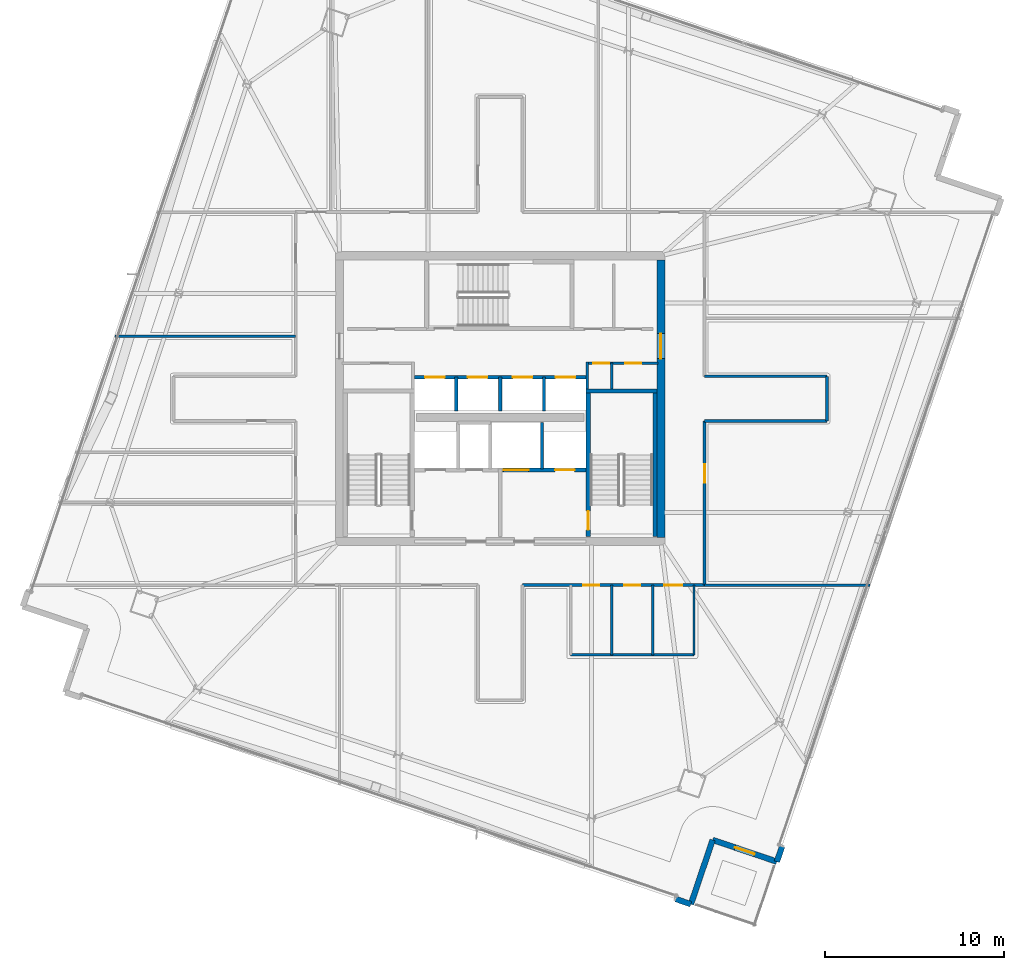
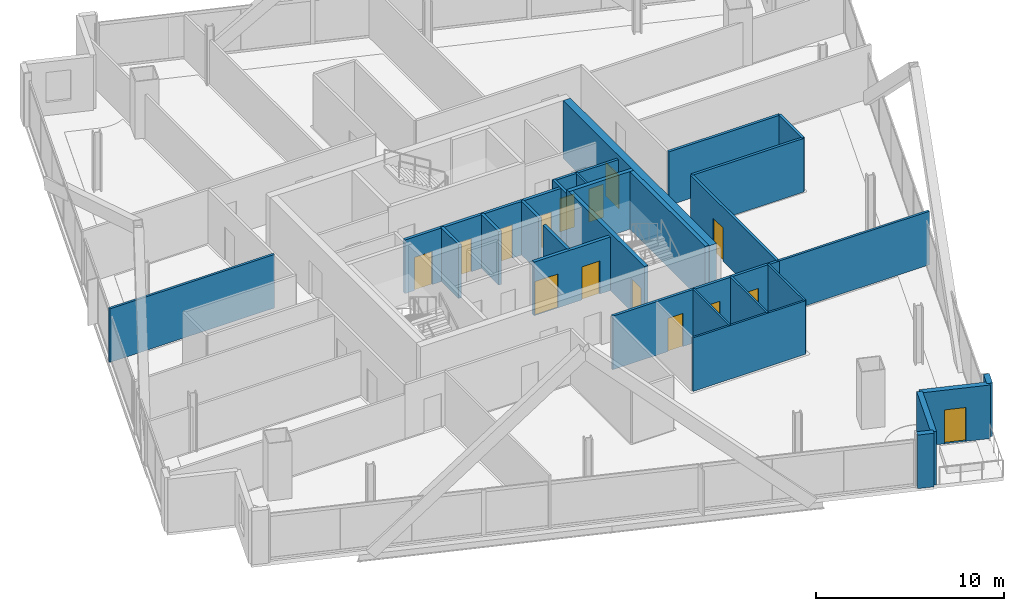
# One storey, part 22 of 29: 28 walls, 15 doors, 15 openings.
"""IFC4 building model written with IfcOpenShell, lengths in metres."""

from ifc_helpers import new_model, si_unit, direction, frame, frame_2d, origin, place, context, subcontext, project, spatial, rectangle, extrude, material, layer, layer_set, type_object, element, fill, save


model = new_model("IFC4")

# Units and contexts
model_context = context("Model", 3, precision=1e-05, world=origin(), true_north=direction((0.0, 1.0)))
body_context = subcontext(model_context, "Body", "Model", "MODEL_VIEW")
ifc_project = project(units=[si_unit("LENGTHUNIT", "METRE"), si_unit("AREAUNIT", "SQUARE_METRE"), si_unit("VOLUMEUNIT", "CUBIC_METRE"), si_unit("PLANEANGLEUNIT", "RADIAN"), si_unit("MASSUNIT", "GRAM", prefix="KILO")], contexts=[model_context])

# Site, building, storey
site_placement = place(None, origin())
site = spatial("IfcSite", under=ifc_project, at=site_placement, CompositionType="ELEMENT")
building_placement = place(site_placement, origin())
building = spatial("IfcBuilding", under=site, at=building_placement, Name="Haldenkirk Collegiate Tower", CompositionType="ELEMENT")
storey_placement = place(building_placement, frame((0.0, 0.0, 267.449951171875)))
storey = spatial("IfcBuildingStorey", under=building, at=storey_placement, Name="L67", CompositionType="ELEMENT", Elevation=267.449951171875)

# Wall, opening, door
ifc_material_1 = material(Name="Concrete f'c 55 MPa", Category="concrete")
ifc_layer_1 = layer(ifc_material_1, 0.449951171875)
ifc_layer_set_1 = layer_set([ifc_layer_1], Name="Concrete f'c 55 MPa")
wall_type_1 = type_object("IfcWallType", Name="WL-CORE-450", PredefinedType="SHEAR", material=ifc_layer_set_1)
wall_1_placement = place(storey_placement, frame((45.0, 18.22509765625, 0.0), z_axis=(0.0, 0.0, 1.0), x_axis=(0.0, 1.0, 0.0)))
wall_1 = element("IfcWall", 1, at=wall_1_placement, inside=storey, type_object=wall_type_1, Name="L67 central core shear wall E", PredefinedType="SHEAR", context=body_context, shape_type="SweptSolid", body=[
    extrude(rectangle(XDim=15.5498046875, YDim=0.449951171875, at=frame_2d((7.77490234375, 0.0))), origin(), (0.0, 0.0, 1.0), 3.75),
])
opening_1_placement = place(wall_1_placement, frame((10.014892578125, 0.0, 0.0)))
opening_1 = element("IfcOpeningElement", 2, at=opening_1_placement, cuts=wall_1, Name="Opening D-03", PredefinedType="OPENING", context=body_context, shape_type="SweptSolid", body=[
    extrude(rectangle(XDim=1.39990234375, YDim=2.199951171875, at=frame_2d((0.699951171875, 1.10009765625))), frame((0.0, 0.23486328125, 0.0), z_axis=(0.0, -1.0, 0.0), x_axis=(1.0, 0.0, 0.0)), (0.0, 0.0, 1.0), 0.469970703125),
])
ifc_material_2 = material(Name="Galvanized fire-rated hollow steel door", Category="steel")
ifc_layer_2 = layer(ifc_material_2, 0.06005859375)
ifc_layer_set_2 = layer_set([ifc_layer_2], Name="Galvanized fire-rated hollow steel door")
door_type_1 = type_object("IfcDoorType", Name="DR-LOBBY-FD90-1400", OperationType="NOTDEFINED", PredefinedType="DOOR", material=ifc_layer_set_2)
door_1_placement = place(opening_1_placement, origin())
door_1 = element("IfcDoor", 3, at=door_1_placement, inside=storey, type_object=door_type_1, Name="L67 east lift lobby portal", OperationType="DOUBLE_DOOR_SINGLE_SWING", OverallHeight=2.199951171875, OverallWidth=1.39990234375, PredefinedType="DOOR", context=body_context, shape_type="SweptSolid", body=[
    extrude(rectangle(XDim=1.39990234375, YDim=2.199951171875, at=frame_2d((0.699951171875, 1.10009765625))), frame((0.0, 0.02490234375, 0.0), z_axis=(0.0, -1.0, 0.0), x_axis=(1.0, 0.0, 0.0)), (0.0, 0.0, 1.0), 0.050048828125),
])
fill(opening_1, door_1)

# Walls
ifc_material_3 = material(Name="Precast concrete f'c 40 MPa", Category="concrete")
ifc_layer_3 = layer(ifc_material_3, 0.320068359375)
ifc_layer_set_3 = layer_set([ifc_layer_3], Name="Precast concrete f'c 40 MPa")
wall_type_2 = type_object("IfcWallType", Name="WL-EXT-TWR-320", PredefinedType="STANDARD", material=ifc_layer_set_3)
for number, where, z_axis, x_axis, name in (
    (4, (51.790283203125, 0.9130859375, 0.0), (0.0, 0.0, 1.0), (-0.320618639267, -0.947208365754, 0.0), "L67 precast corner pier SR"),
    (5, (46.68408203125, -2.320556640625, 0.0), (0.0, 0.0, 1.0), (-0.947208365754, 0.320618639267, 0.0), "L67 precast corner pier WL"),
):
    element("IfcWall", number, at=place(storey_placement, frame(where, z_axis=z_axis, x_axis=x_axis)), inside=storey, type_object=wall_type_2, Name=name, PredefinedType="STANDARD", context=body_context, shape_type="SweptSolid", body=[
        extrude(rectangle(XDim=0.900146484375, YDim=0.320068359375, at=frame_2d((0.4501953125, 0.0))), origin(), (0.0, 0.0, 1.0), 3.47998046875),
    ])
wall_2_placement = place(storey_placement, frame((47.90234375, 1.27880859375, 0.0), z_axis=(0.0, 0.0, 1.0), x_axis=(-0.320599721691, -0.947214768916, 0.0)))
element("IfcWall", 6, at=wall_2_placement, inside=storey, type_object=wall_type_2, Name="L67 bronze precast notch wall 11", PredefinedType="STANDARD", context=body_context, shape_type="SweptSolid", body=[
    extrude(rectangle(XDim=3.800048828125, YDim=0.320068359375, at=frame_2d((1.89990234375, 0.0))), origin(), (0.0, 0.0, 1.0), 3.47998046875),
])

# Wall, opening, door
wall_3_placement = place(storey_placement, frame((51.501708984375, 0.060546875, 0.0), z_axis=(0.0, 0.0, 1.0), x_axis=(-0.947214768916, 0.320599721691, 0.0)))
wall_3 = element("IfcWall", 7, at=wall_3_placement, inside=storey, type_object=wall_type_2, Name="L67 bronze precast notch wall 12", PredefinedType="STANDARD", context=body_context, shape_type="SweptSolid", body=[
    extrude(rectangle(XDim=3.800048828125, YDim=0.320068359375, at=frame_2d((1.89990234375, 0.0))), origin(), (0.0, 0.0, 1.0), 3.47998046875),
])
opening_2_placement = place(wall_3_placement, frame((1.324951171875, 0.0, 0.0)))
opening_2 = element("IfcOpeningElement", 8, at=opening_2_placement, cuts=wall_3, Name="Opening D-ST11", PredefinedType="OPENING", context=body_context, shape_type="SweptSolid", body=[
    extrude(rectangle(XDim=1.14990234375, YDim=2.199951171875, at=frame_2d((0.574951171875, 1.10009765625))), frame((0.0, 0.169921875, 0.0), z_axis=(0.0, -1.0, 0.0), x_axis=(1.0, 0.0, 0.0)), (0.0, 0.0, 1.0), 0.340087890625),
])
ifc_material_4 = material(Name="Anodised architectural bronze aluminium", Category="aluminium")
ifc_layer_4 = layer(ifc_material_4, 0.080078125)
ifc_layer_set_4 = layer_set([ifc_layer_4], Name="Anodised architectural bronze aluminium")
door_type_2 = type_object("IfcDoorType", Name="DR-EXT-STER-1150", OperationType="NOTDEFINED", PredefinedType="DOOR", material=ifc_layer_set_4)
door_2_placement = place(opening_2_placement, origin())
door_2 = element("IfcDoor", 9, at=door_2_placement, inside=storey, type_object=door_type_2, Name="L67 spiralling terrace door", OperationType="SINGLE_SWING_RIGHT", OverallHeight=2.199951171875, OverallWidth=1.14990234375, PredefinedType="DOOR", context=body_context, shape_type="SweptSolid", body=[
    extrude(rectangle(XDim=1.14990234375, YDim=2.199951171875, at=frame_2d((0.574951171875, 1.10009765625))), frame((0.0, 0.02490234375, 0.0), z_axis=(0.0, -1.0, 0.0), x_axis=(1.0, 0.0, 0.0)), (0.0, 0.0, 1.0), 0.050048828125),
])
fill(opening_2, door_2)

# Wall, openings, doors
ifc_material_5 = material(Name="Acoustic fire-rated gypsum partition", Category="concrete")
ifc_layer_5 = layer(ifc_material_5, 0.159912109375)
ifc_layer_set_5 = layer_set([ifc_layer_5], Name="Acoustic fire-rated gypsum partition")
wall_type_3 = type_object("IfcWallType", Name="WL-INT-CORR-160", PredefinedType="PARTITIONING", material=ifc_layer_set_5)
wall_4_placement = place(storey_placement, frame((40.800048828125, 27.97998046875, 0.0), z_axis=(0.0, 0.0, 1.0), x_axis=(1.0, 0.0, 0.0)))
wall_4 = element("IfcWall", 10, at=wall_4_placement, inside=storey, type_object=wall_type_3, Name="L67 interior partition IW-L67-VCSE-N", PredefinedType="PARTITIONING", context=body_context, shape_type="SweptSolid", body=[
    extrude(rectangle(XDim=4.050048828125, YDim=0.159912109375, at=frame_2d((2.02490234375, 0.0))), origin(), (0.0, 0.0, 1.0), 3.47998046875),
])
opening_3_placement = place(wall_4_placement, frame((0.407470703125, 0.0, 0.0)))
opening_3 = element("IfcOpeningElement", 11, at=opening_3_placement, cuts=wall_4, Name="Opening D-11", PredefinedType="OPENING", context=body_context, shape_type="SweptSolid", body=[
    extrude(rectangle(XDim=0.89990234375, YDim=2.14990234375, at=frame_2d((0.449951171875, 1.074951171875))), frame((0.0, 0.08984375, 0.0), z_axis=(0.0, -1.0, 0.0), x_axis=(1.0, 0.0, 0.0)), (0.0, 0.0, 1.0), 0.179931640625),
])
opening_4_placement = place(wall_4_placement, frame((2.199951171875, 0.0, 0.0)))
opening_4 = element("IfcOpeningElement", 12, at=opening_4_placement, cuts=wall_4, Name="Opening D-11", PredefinedType="OPENING", context=body_context, shape_type="SweptSolid", body=[
    extrude(rectangle(XDim=0.89990234375, YDim=2.14990234375, at=frame_2d((0.449951171875, 1.074951171875))), frame((0.0, 0.08984375, 0.0), z_axis=(0.0, -1.0, 0.0), x_axis=(1.0, 0.0, 0.0)), (0.0, 0.0, 1.0), 0.179931640625),
])
ifc_material_6 = material(Name="Solid-core architectural oak fire door", Category="wood")
ifc_layer_6 = layer(ifc_material_6, 0.06005859375)
ifc_layer_set_6 = layer_set([ifc_layer_6], Name="Solid-core architectural oak fire door")
door_type_3 = type_object("IfcDoorType", Name="DR-INT-FD60-900", OperationType="NOTDEFINED", PredefinedType="DOOR", material=ifc_layer_set_6)
door_3_placement = place(opening_3_placement, origin())
door_3 = element("IfcDoor", 13, at=door_3_placement, inside=storey, type_object=door_type_3, Name="L67 core copy room door", OperationType="SINGLE_SWING_LEFT", OverallHeight=2.14990234375, OverallWidth=0.89990234375, PredefinedType="DOOR", context=body_context, shape_type="SweptSolid", body=[
    extrude(rectangle(XDim=0.89990234375, YDim=2.14990234375, at=frame_2d((0.449951171875, 1.074951171875))), frame((0.0, 0.02490234375, 0.0), z_axis=(0.0, -1.0, 0.0), x_axis=(1.0, 0.0, 0.0)), (0.0, 0.0, 1.0), 0.050048828125),
])
fill(opening_3, door_3)
door_4_placement = place(opening_4_placement, origin())
door_4 = element("IfcDoor", 14, at=door_4_placement, inside=storey, type_object=door_type_3, Name="L67 core records store door", OperationType="SINGLE_SWING_RIGHT", OverallHeight=2.14990234375, OverallWidth=0.89990234375, PredefinedType="DOOR", context=body_context, shape_type="SweptSolid", body=[
    extrude(rectangle(XDim=0.89990234375, YDim=2.14990234375, at=frame_2d((0.449951171875, 1.074951171875))), frame((0.0, 0.02490234375, 0.0), z_axis=(0.0, -1.0, 0.0), x_axis=(1.0, 0.0, 0.0)), (0.0, 0.0, 1.0), 0.050048828125),
])
fill(opening_4, door_4)

# Wall
wall_5_placement = place(storey_placement, frame((40.8798828125, 26.5400390625, 0.0), z_axis=(0.0, 0.0, 1.0), x_axis=(0.0, 1.0, 0.0)))
element("IfcWall", 15, at=wall_5_placement, inside=storey, type_object=wall_type_3, Name="L67 interior partition IW-L67-VCSE-W", PredefinedType="PARTITIONING", context=body_context, shape_type="SweptSolid", body=[
    extrude(rectangle(XDim=1.510009765625, YDim=0.159912109375, at=frame_2d((0.7548828125, 0.0))), origin(), (0.0, 0.0, 1.0), 3.47998046875),
])

# Wall, openings, doors
wall_6_placement = place(storey_placement, frame((37.25, 15.550048828125, 0.0), z_axis=(0.0, 0.0, 1.0), x_axis=(1.0, 0.0, 0.0)))
wall_6 = element("IfcWall", 16, at=wall_6_placement, inside=storey, type_object=wall_type_3, Name="L67 interior partition IW-L67-CS2", PredefinedType="PARTITIONING", context=body_context, shape_type="SweptSolid", body=[
    extrude(rectangle(XDim=10.25, YDim=0.159912109375, at=frame_2d((5.125, 0.0))), origin(), (0.0, 0.0, 1.0), 3.47998046875),
])
opening_5_placement = place(wall_6_placement, frame((3.39990234375, 0.0, 0.0)))
opening_5 = element("IfcOpeningElement", 17, at=opening_5_placement, cuts=wall_6, Name="Opening D-13", PredefinedType="OPENING", context=body_context, shape_type="SweptSolid", body=[
    extrude(rectangle(XDim=0.89990234375, YDim=2.14990234375, at=frame_2d((0.449951171875, 1.074951171875))), frame((0.0, 0.08984375, 0.0), z_axis=(0.0, -1.0, 0.0), x_axis=(1.0, 0.0, 0.0)), (0.0, 0.0, 1.0), 0.179931640625),
])
opening_6_placement = place(wall_6_placement, frame((5.699951171875, 0.0, 0.0)))
opening_6 = element("IfcOpeningElement", 18, at=opening_6_placement, cuts=wall_6, Name="Opening D-13", PredefinedType="OPENING", context=body_context, shape_type="SweptSolid", body=[
    extrude(rectangle(XDim=0.89990234375, YDim=2.14990234375, at=frame_2d((0.449951171875, 1.074951171875))), frame((0.0, 0.08984375, 0.0), z_axis=(0.0, -1.0, 0.0), x_axis=(1.0, 0.0, 0.0)), (0.0, 0.0, 1.0), 0.179931640625),
])
opening_7_placement = place(wall_6_placement, frame((7.949951171875, 0.0, 0.0)))
opening_7 = element("IfcOpeningElement", 19, at=opening_7_placement, cuts=wall_6, Name="Opening D-14", PredefinedType="OPENING", context=body_context, shape_type="SweptSolid", body=[
    extrude(rectangle(XDim=1.0, YDim=2.14990234375, at=frame_2d((0.5, 1.074951171875))), frame((0.0, 0.08984375, 0.0), z_axis=(0.0, -1.0, 0.0), x_axis=(1.0, 0.0, 0.0)), (0.0, 0.0, 1.0), 0.179931640625),
])
ifc_layer_7 = layer(ifc_material_6, 0.06005859375)
ifc_layer_set_7 = layer_set([ifc_layer_7], Name="Solid-core architectural oak fire door")
door_type_4 = type_object("IfcDoorType", Name="DR-INT-ACC-1000", OperationType="NOTDEFINED", PredefinedType="DOOR", material=ifc_layer_set_7)
door_5_placement = place(opening_7_placement, origin())
door_5 = element("IfcDoor", 20, at=door_5_placement, inside=storey, type_object=door_type_4, Name="L67 Accessible WC door", OperationType="SINGLE_SWING_RIGHT", OverallHeight=2.14990234375, OverallWidth=1.0, PredefinedType="DOOR", context=body_context, shape_type="SweptSolid", body=[
    extrude(rectangle(XDim=1.0, YDim=2.14990234375, at=frame_2d((0.5, 1.074951171875))), frame((0.0, 0.02490234375, 0.0), z_axis=(0.0, -1.0, 0.0), x_axis=(1.0, 0.0, 0.0)), (0.0, 0.0, 1.0), 0.050048828125),
])
fill(opening_7, door_5)
ifc_layer_8 = layer(ifc_material_6, 0.06005859375)
ifc_layer_set_8 = layer_set([ifc_layer_8], Name="Solid-core architectural oak fire door")
door_type_5 = type_object("IfcDoorType", Name="DR-INT-STD-900", OperationType="NOTDEFINED", PredefinedType="DOOR", material=ifc_layer_set_8)
door_6_placement = place(opening_5_placement, origin())
door_6 = element("IfcDoor", 21, at=door_6_placement, inside=storey, type_object=door_type_5, Name="L67 Male WC door", OperationType="SINGLE_SWING_RIGHT", OverallHeight=2.14990234375, OverallWidth=0.89990234375, PredefinedType="DOOR", context=body_context, shape_type="SweptSolid", body=[
    extrude(rectangle(XDim=0.89990234375, YDim=2.14990234375, at=frame_2d((0.449951171875, 1.074951171875))), frame((0.0, 0.02490234375, 0.0), z_axis=(0.0, -1.0, 0.0), x_axis=(1.0, 0.0, 0.0)), (0.0, 0.0, 1.0), 0.050048828125),
])
fill(opening_5, door_6)
door_7_placement = place(opening_6_placement, origin())
door_7 = element("IfcDoor", 22, at=door_7_placement, inside=storey, type_object=door_type_5, Name="L67 Female WC door", OperationType="SINGLE_SWING_LEFT", OverallHeight=2.14990234375, OverallWidth=0.89990234375, PredefinedType="DOOR", context=body_context, shape_type="SweptSolid", body=[
    extrude(rectangle(XDim=0.89990234375, YDim=2.14990234375, at=frame_2d((0.449951171875, 1.074951171875))), frame((0.0, 0.02490234375, 0.0), z_axis=(0.0, -1.0, 0.0), x_axis=(1.0, 0.0, 0.0)), (0.0, 0.0, 1.0), 0.050048828125),
])
fill(opening_6, door_7)

# Wall, opening, door
wall_7_placement = place(storey_placement, frame((47.449951171875, 15.550048828125, 0.0), z_axis=(0.0, 0.0, 1.0), x_axis=(0.0, 1.0, 0.0)))
wall_7 = element("IfcWall", 23, at=wall_7_placement, inside=storey, type_object=wall_type_3, Name="L67 interior partition IW-L67-CE1", PredefinedType="PARTITIONING", context=body_context, shape_type="SweptSolid", body=[
    extrude(rectangle(XDim=9.199951171875, YDim=0.159912109375, at=frame_2d((4.60009765625, 0.0))), origin(), (0.0, 0.0, 1.0), 3.47998046875),
])
opening_8_placement = place(wall_7_placement, frame((5.73095703125, 0.0, 0.0)))
opening_8 = element("IfcOpeningElement", 24, at=opening_8_placement, cuts=wall_7, Name="Opening D-09", PredefinedType="OPENING", context=body_context, shape_type="SweptSolid", body=[
    extrude(rectangle(XDim=1.050048828125, YDim=2.14990234375, at=frame_2d((0.52490234375, 1.074951171875))), frame((0.0, 0.08984375, 0.0), z_axis=(0.0, -1.0, 0.0), x_axis=(1.0, 0.0, 0.0)), (0.0, 0.0, 1.0), 0.179931640625),
])
ifc_layer_9 = layer(ifc_material_6, 0.06005859375)
ifc_layer_set_9 = layer_set([ifc_layer_9], Name="Solid-core architectural oak fire door")
door_type_6 = type_object("IfcDoorType", Name="DR-INT-FD60-1050", OperationType="NOTDEFINED", PredefinedType="DOOR", material=ifc_layer_set_9)
door_8_placement = place(opening_8_placement, origin())
door_8 = element("IfcDoor", 25, at=door_8_placement, inside=storey, type_object=door_type_6, Name="L67 Departmental Archive 11 door", OperationType="SINGLE_SWING_LEFT", OverallHeight=2.14990234375, OverallWidth=1.050048828125, PredefinedType="DOOR", context=body_context, shape_type="SweptSolid", body=[
    extrude(rectangle(XDim=1.050048828125, YDim=2.14990234375, at=frame_2d((0.52490234375, 1.074951171875))), frame((0.0, 0.02490234375, 0.0), z_axis=(0.0, -1.0, 0.0), x_axis=(1.0, 0.0, 0.0)), (0.0, 0.0, 1.0), 0.050048828125),
])
fill(opening_8, door_8)

# Walls
for number, where, z_axis, x_axis, name in (
    (26, (47.449951171875, 24.75, 0.0), (0.0, 0.0, 1.0), (1.0, 0.0, 0.0), "L67 interior partition IW-L67-EPS"),
    (27, (47.449951171875, 27.25, 0.0), (0.0, 0.0, 1.0), (1.0, 0.0, 0.0), "L67 interior partition IW-L67-EPN"),
):
    element("IfcWall", number, at=place(storey_placement, frame(where, z_axis=z_axis, x_axis=x_axis)), inside=storey, type_object=wall_type_3, Name=name, PredefinedType="PARTITIONING", context=body_context, shape_type="SweptSolid", body=[
        extrude(rectangle(XDim=6.85009765625, YDim=0.159912109375, at=frame_2d((3.425048828125, 0.0))), origin(), (0.0, 0.0, 1.0), 3.47998046875),
    ])
wall_8_placement = place(storey_placement, frame((54.300048828125, 24.75, 0.0), z_axis=(0.0, 0.0, 1.0), x_axis=(0.0, 1.0, 0.0)))
element("IfcWall", 28, at=wall_8_placement, inside=storey, type_object=wall_type_3, Name="L67 interior partition IW-L67-EPE", PredefinedType="PARTITIONING", context=body_context, shape_type="SweptSolid", body=[
    extrude(rectangle(XDim=2.5, YDim=0.159912109375, at=frame_2d((1.25, 0.0))), origin(), (0.0, 0.0, 1.0), 3.47998046875),
])
ifc_layer_10 = layer(ifc_material_5, 0.139892578125)
ifc_layer_set_10 = layer_set([ifc_layer_10], Name="Acoustic fire-rated gypsum partition")
wall_type_4 = type_object("IfcWallType", Name="WL-INT-DIV-140", PredefinedType="PARTITIONING", material=ifc_layer_set_10)
wall_9_placement = place(storey_placement, frame((47.449951171875, 15.550048828125, 0.0), z_axis=(0.0, 0.0, 1.0), x_axis=(1.0, 0.0, 0.0)))
element("IfcWall", 29, at=wall_9_placement, inside=storey, type_object=wall_type_4, Name="L67 interior partition IW-L67-BES", PredefinedType="PARTITIONING", context=body_context, shape_type="SweptSolid", body=[
    extrude(rectangle(XDim=9.25244140625, YDim=0.139892578125, at=frame_2d((4.626220703125, 0.0))), origin(), (0.0, 0.0, 1.0), 3.47998046875),
])
wall_10_placement = place(storey_placement, frame((14.423095703125, 29.5, 0.0), z_axis=(0.0, 0.0, 1.0), x_axis=(1.0, 0.0, 0.0)))
element("IfcWall", 30, at=wall_10_placement, inside=storey, type_object=wall_type_4, Name="L67 interior partition IW-L67-RW3", PredefinedType="PARTITIONING", context=body_context, shape_type="SweptSolid", body=[
    extrude(rectangle(XDim=10.126953125, YDim=0.139892578125, at=frame_2d((5.0634765625, 0.0))), origin(), (0.0, 0.0, 1.0), 3.47998046875),
])
ifc_material_7 = material(Name="Fire-rated gypsum shaftboard assembly", Category="concrete")
ifc_layer_11 = layer(ifc_material_7, 0.179931640625)
ifc_layer_set_11 = layer_set([ifc_layer_11], Name="Fire-rated gypsum shaftboard assembly")
wall_type_5 = type_object("IfcWallType", Name="WL-INT-SHAFT-180", PredefinedType="PARTITIONING", material=ifc_layer_set_11)
wall_11_placement = place(storey_placement, frame((38.35009765625, 22.050048828125, 0.0), z_axis=(0.0, 0.0, 1.0), x_axis=(0.0, 1.0, 0.0)))
element("IfcWall", 31, at=wall_11_placement, inside=storey, type_object=wall_type_5, Name="L67 interior partition IW-L67-GL1E", PredefinedType="PARTITIONING", context=body_context, shape_type="SweptSolid", body=[
    extrude(rectangle(XDim=2.599853515625, YDim=0.179931640625, at=frame_2d((1.2998046875, 0.0))), origin(), (0.0, 0.0, 1.0), 3.47998046875),
])

# Wall, openings, doors
wall_12_placement = place(storey_placement, frame((31.199951171875, 27.199951171875, 0.0), z_axis=(0.0, 0.0, 1.0), x_axis=(1.0, 0.0, 0.0)))
wall_12 = element("IfcWall", 32, at=wall_12_placement, inside=storey, type_object=wall_type_5, Name="L67 interior partition IW-L67-PHN", PredefinedType="PARTITIONING", context=body_context, shape_type="SweptSolid", body=[
    extrude(rectangle(XDim=9.60009765625, YDim=0.179931640625, at=frame_2d((4.800048828125, 0.0))), origin(), (0.0, 0.0, 1.0), 3.47998046875),
])
opening_9_placement = place(wall_12_placement, frame((0.590087890625, 0.0, 0.0)))
opening_9 = element("IfcOpeningElement", 33, at=opening_9_placement, cuts=wall_12, Name="Opening LD-11", PredefinedType="OPENING", context=body_context, shape_type="SweptSolid", body=[
    extrude(rectangle(XDim=1.10009765625, YDim=2.14990234375, at=frame_2d((0.550048828125, 1.074951171875))), frame((0.0, 0.099853515625, 0.0), z_axis=(0.0, -1.0, 0.0), x_axis=(1.0, 0.0, 0.0)), (0.0, 0.0, 1.0), 0.199951171875),
])
opening_10_placement = place(wall_12_placement, frame((2.989990234375, 0.0, 0.0)))
opening_10 = element("IfcOpeningElement", 34, at=opening_10_placement, cuts=wall_12, Name="Opening LD-11", PredefinedType="OPENING", context=body_context, shape_type="SweptSolid", body=[
    extrude(rectangle(XDim=1.10009765625, YDim=2.14990234375, at=frame_2d((0.550048828125, 1.074951171875))), frame((0.0, 0.099853515625, 0.0), z_axis=(0.0, -1.0, 0.0), x_axis=(1.0, 0.0, 0.0)), (0.0, 0.0, 1.0), 0.199951171875),
])
opening_11_placement = place(wall_12_placement, frame((5.510009765625, 0.0, 0.0)))
opening_11 = element("IfcOpeningElement", 35, at=opening_11_placement, cuts=wall_12, Name="Opening LD-11", PredefinedType="OPENING", context=body_context, shape_type="SweptSolid", body=[
    extrude(rectangle(XDim=1.10009765625, YDim=2.14990234375, at=frame_2d((0.550048828125, 1.074951171875))), frame((0.0, 0.099853515625, 0.0), z_axis=(0.0, -1.0, 0.0), x_axis=(1.0, 0.0, 0.0)), (0.0, 0.0, 1.0), 0.199951171875),
])
opening_12_placement = place(wall_12_placement, frame((7.909912109375, 0.0, 0.0)))
opening_12 = element("IfcOpeningElement", 36, at=opening_12_placement, cuts=wall_12, Name="Opening LD-11", PredefinedType="OPENING", context=body_context, shape_type="SweptSolid", body=[
    extrude(rectangle(XDim=1.10009765625, YDim=2.14990234375, at=frame_2d((0.550048828125, 1.074951171875))), frame((0.0, 0.099853515625, 0.0), z_axis=(0.0, -1.0, 0.0), x_axis=(1.0, 0.0, 0.0)), (0.0, 0.0, 1.0), 0.199951171875),
])
ifc_material_8 = material(Name="Brushed architectural stainless steel", Category="steel")
ifc_layer_12 = layer(ifc_material_8, 0.06005859375)
ifc_layer_set_12 = layer_set([ifc_layer_12], Name="Brushed architectural stainless steel")
door_type_7 = type_object("IfcDoorType", Name="LD-PASS-1100", OperationType="NOTDEFINED", PredefinedType="DOOR", material=ifc_layer_set_12)
door_9_placement = place(opening_9_placement, origin())
door_9 = element("IfcDoor", 37, at=door_9_placement, inside=storey, type_object=door_type_7, Name="L67 Elevator PH1 sliding landing door", OperationType="SLIDING_TO_LEFT", OverallHeight=2.14990234375, OverallWidth=1.10009765625, PredefinedType="DOOR", context=body_context, shape_type="SweptSolid", body=[
    extrude(rectangle(XDim=1.10009765625, YDim=2.14990234375, at=frame_2d((0.550048828125, 1.074951171875))), frame((0.0, 0.02490234375, 0.0), z_axis=(0.0, -1.0, 0.0), x_axis=(1.0, 0.0, 0.0)), (0.0, 0.0, 1.0), 0.050048828125),
])
fill(opening_9, door_9)
door_10_placement = place(opening_10_placement, origin())
door_10 = element("IfcDoor", 38, at=door_10_placement, inside=storey, type_object=door_type_7, Name="L67 Elevator PH2 sliding landing door", OperationType="SLIDING_TO_LEFT", OverallHeight=2.14990234375, OverallWidth=1.10009765625, PredefinedType="DOOR", context=body_context, shape_type="SweptSolid", body=[
    extrude(rectangle(XDim=1.10009765625, YDim=2.14990234375, at=frame_2d((0.550048828125, 1.074951171875))), frame((0.0, 0.02490234375, 0.0), z_axis=(0.0, -1.0, 0.0), x_axis=(1.0, 0.0, 0.0)), (0.0, 0.0, 1.0), 0.050048828125),
])
fill(opening_10, door_10)
door_11_placement = place(opening_11_placement, origin())
door_11 = element("IfcDoor", 39, at=door_11_placement, inside=storey, type_object=door_type_7, Name="L67 Elevator PH3 sliding landing door", OperationType="SLIDING_TO_LEFT", OverallHeight=2.14990234375, OverallWidth=1.10009765625, PredefinedType="DOOR", context=body_context, shape_type="SweptSolid", body=[
    extrude(rectangle(XDim=1.10009765625, YDim=2.14990234375, at=frame_2d((0.550048828125, 1.074951171875))), frame((0.0, 0.02490234375, 0.0), z_axis=(0.0, -1.0, 0.0), x_axis=(1.0, 0.0, 0.0)), (0.0, 0.0, 1.0), 0.050048828125),
])
fill(opening_11, door_11)
door_12_placement = place(opening_12_placement, origin())
door_12 = element("IfcDoor", 40, at=door_12_placement, inside=storey, type_object=door_type_7, Name="L67 Elevator PH4 sliding landing door", OperationType="SLIDING_TO_LEFT", OverallHeight=2.14990234375, OverallWidth=1.10009765625, PredefinedType="DOOR", context=body_context, shape_type="SweptSolid", body=[
    extrude(rectangle(XDim=1.10009765625, YDim=2.14990234375, at=frame_2d((0.550048828125, 1.074951171875))), frame((0.0, 0.02490234375, 0.0), z_axis=(0.0, -1.0, 0.0), x_axis=(1.0, 0.0, 0.0)), (0.0, 0.0, 1.0), 0.050048828125),
])
fill(opening_12, door_12)

# Walls
for number, where, z_axis, x_axis, name in (
    (41, (33.5400390625, 25.300048828125, 0.0), (0.0, 0.0, 1.0), (0.0, 1.0, 0.0), "L67 interior partition IW-L67-PHV1"),
    (42, (36.0, 25.300048828125, 0.0), (0.0, 0.0, 1.0), (0.0, 1.0, 0.0), "L67 interior partition IW-L67-PHV2"),
    (43, (38.4599609375, 25.300048828125, 0.0), (0.0, 0.0, 1.0), (0.0, 1.0, 0.0), "L67 interior partition IW-L67-PHV3"),
):
    element("IfcWall", number, at=place(storey_placement, frame(where, z_axis=z_axis, x_axis=x_axis)), inside=storey, type_object=wall_type_5, Name=name, PredefinedType="PARTITIONING", context=body_context, shape_type="SweptSolid", body=[
        extrude(rectangle(XDim=1.89990234375, YDim=0.179931640625, at=frame_2d((0.949951171875, 0.0))), origin(), (0.0, 0.0, 1.0), 3.47998046875),
    ])

# Wall, openings, doors
ifc_layer_13 = layer(ifc_material_7, 0.199951171875)
ifc_layer_set_13 = layer_set([ifc_layer_13], Name="Fire-rated gypsum shaftboard assembly")
wall_type_6 = type_object("IfcWallType", Name="WL-INT-SHAFT-200", PredefinedType="PARTITIONING", material=ifc_layer_set_13)
wall_13_placement = place(storey_placement, frame((36.1201171875, 22.0, 0.0), z_axis=(0.0, 0.0, 1.0), x_axis=(1.0, 0.0, 0.0)))
wall_13 = element("IfcWall", 44, at=wall_13_placement, inside=storey, type_object=wall_type_6, Name="L67 interior partition IW-L67-FFL2N", PredefinedType="PARTITIONING", context=body_context, shape_type="SweptSolid", body=[
    extrude(rectangle(XDim=4.68994140625, YDim=0.199951171875, at=frame_2d((2.344970703125, 0.0))), origin(), (0.0, 0.0, 1.0), 3.47998046875),
])
opening_13_placement = place(wall_13_placement, frame((2.955078125, 0.0, 0.0)))
opening_13 = element("IfcOpeningElement", 45, at=opening_13_placement, cuts=wall_13, Name="Opening LD-12", PredefinedType="OPENING", context=body_context, shape_type="SweptSolid", body=[
    extrude(rectangle(XDim=1.10009765625, YDim=2.14990234375, at=frame_2d((0.550048828125, 1.074951171875))), frame((0.0, 0.10986328125, 0.0), z_axis=(0.0, -1.0, 0.0), x_axis=(1.0, 0.0, 0.0)), (0.0, 0.0, 1.0), 0.219970703125),
])
opening_14_placement = place(wall_13_placement, frame((0.080078125, 0.0, 0.0)))
opening_14 = element("IfcOpeningElement", 46, at=opening_14_placement, cuts=wall_13, Name="Opening LD-13", PredefinedType="OPENING", context=body_context, shape_type="SweptSolid", body=[
    extrude(rectangle(XDim=1.39990234375, YDim=2.199951171875, at=frame_2d((0.699951171875, 1.10009765625))), frame((0.0, 0.10986328125, 0.0), z_axis=(0.0, -1.0, 0.0), x_axis=(1.0, 0.0, 0.0)), (0.0, 0.0, 1.0), 0.219970703125),
])
ifc_layer_14 = layer(ifc_material_8, 0.06005859375)
ifc_layer_set_14 = layer_set([ifc_layer_14], Name="Brushed architectural stainless steel")
door_type_8 = type_object("IfcDoorType", Name="LD-FIRE-1100", OperationType="NOTDEFINED", PredefinedType="DOOR", material=ifc_layer_set_14)
door_13_placement = place(opening_13_placement, origin())
door_13 = element("IfcDoor", 47, at=door_13_placement, inside=storey, type_object=door_type_8, Name="L67 Elevator FL2 sliding landing door", OperationType="SLIDING_TO_LEFT", OverallHeight=2.14990234375, OverallWidth=1.10009765625, PredefinedType="DOOR", context=body_context, shape_type="SweptSolid", body=[
    extrude(rectangle(XDim=1.10009765625, YDim=2.14990234375, at=frame_2d((0.550048828125, 1.074951171875))), frame((0.0, 0.02490234375, 0.0), z_axis=(0.0, -1.0, 0.0), x_axis=(1.0, 0.0, 0.0)), (0.0, 0.0, 1.0), 0.050048828125),
])
fill(opening_13, door_13)
ifc_layer_15 = layer(ifc_material_8, 0.06005859375)
ifc_layer_set_15 = layer_set([ifc_layer_15], Name="Brushed architectural stainless steel")
door_type_9 = type_object("IfcDoorType", Name="LD-GOODS-1400", OperationType="NOTDEFINED", PredefinedType="DOOR", material=ifc_layer_set_15)
door_14_placement = place(opening_14_placement, origin())
door_14 = element("IfcDoor", 48, at=door_14_placement, inside=storey, type_object=door_type_9, Name="L67 Elevator GL1 sliding landing door", OperationType="SLIDING_TO_LEFT", OverallHeight=2.199951171875, OverallWidth=1.39990234375, PredefinedType="DOOR", context=body_context, shape_type="SweptSolid", body=[
    extrude(rectangle(XDim=1.39990234375, YDim=2.199951171875, at=frame_2d((0.699951171875, 1.10009765625))), frame((0.0, 0.02490234375, 0.0), z_axis=(0.0, -1.0, 0.0), x_axis=(1.0, 0.0, 0.0)), (0.0, 0.0, 1.0), 0.050048828125),
])
fill(opening_14, door_14)

# Walls
ifc_layer_16 = layer(ifc_material_5, 0.1201171875)
ifc_layer_set_16 = layer_set([ifc_layer_16], Name="Acoustic fire-rated gypsum partition")
wall_type_7 = type_object("IfcWallType", Name="WL-INT-WET-120", PredefinedType="PARTITIONING", material=ifc_layer_set_16)
wall_14_placement = place(storey_placement, frame((42.25, 26.5400390625, 0.0), z_axis=(0.0, 0.0, 1.0), x_axis=(0.0, 1.0, 0.0)))
element("IfcWall", 49, at=wall_14_placement, inside=storey, type_object=wall_type_7, Name="L67 interior partition IW-L67-VCSE-M", PredefinedType="PARTITIONING", context=body_context, shape_type="SweptSolid", body=[
    extrude(rectangle(XDim=1.43994140625, YDim=0.1201171875, at=frame_2d((0.719970703125, 0.0))), origin(), (0.0, 0.0, 1.0), 3.47998046875),
])
for number, where, z_axis, x_axis, name in (
    (50, (42.25, 11.64990234375, 0.0), (0.0, 0.0, 1.0), (0.0, 1.0, 0.0), "L67 interior partition IW-L67-WC1"),
    (51, (44.550048828125, 11.64990234375, 0.0), (0.0, 0.0, 1.0), (0.0, 1.0, 0.0), "L67 interior partition IW-L67-WC2"),
    (52, (46.85009765625, 11.64990234375, 0.0), (0.0, 0.0, 1.0), (0.0, 1.0, 0.0), "L67 interior partition IW-L67-WCE"),
):
    element("IfcWall", number, at=place(storey_placement, frame(where, z_axis=z_axis, x_axis=x_axis)), inside=storey, type_object=wall_type_7, Name=name, PredefinedType="PARTITIONING", context=body_context, shape_type="SweptSolid", body=[
        extrude(rectangle(XDim=3.900146484375, YDim=0.1201171875, at=frame_2d((1.9501953125, 0.0))), origin(), (0.0, 0.0, 1.0), 3.47998046875),
    ])
wall_15_placement = place(storey_placement, frame((39.949951171875, 11.64990234375, 0.0), z_axis=(0.0, 0.0, 1.0), x_axis=(1.0, 0.0, 0.0)))
element("IfcWall", 53, at=wall_15_placement, inside=storey, type_object=wall_type_7, Name="L67 interior partition IW-L67-WCB", PredefinedType="PARTITIONING", context=body_context, shape_type="SweptSolid", body=[
    extrude(rectangle(XDim=6.900146484375, YDim=0.1201171875, at=frame_2d((3.4501953125, 0.0))), origin(), (0.0, 0.0, 1.0), 3.47998046875),
])

# Wall, opening, door
ifc_layer_17 = layer(ifc_material_1, 0.239990234375)
ifc_layer_set_17 = layer_set([ifc_layer_17], Name="Concrete f'c 55 MPa")
wall_type_8 = type_object("IfcWallType", Name="WL-SHAFT-240", PredefinedType="SHEAR", material=ifc_layer_set_17)
wall_16_placement = place(storey_placement, frame((40.929931640625, 18.280029296875, 0.0), z_axis=(0.0, 0.0, 1.0), x_axis=(0.0, 1.0, 0.0)))
wall_16 = element("IfcWall", 54, at=wall_16_placement, inside=storey, type_object=wall_type_8, Name="L67 stair shaft shear wall SW-L67-ST2W", PredefinedType="SHEAR", context=body_context, shape_type="SweptSolid", body=[
    extrude(rectangle(XDim=8.260009765625, YDim=0.239990234375, at=frame_2d((4.1298828125, 0.0))), origin(), (0.0, 0.0, 1.0), 3.75),
])
opening_15_placement = place(wall_16_placement, frame((0.364990234375, 0.0, 0.0)))
opening_15 = element("IfcOpeningElement", 55, at=opening_15_placement, cuts=wall_16, Name="Opening D-01", PredefinedType="OPENING", context=body_context, shape_type="SweptSolid", body=[
    extrude(rectangle(XDim=1.050048828125, YDim=2.14990234375, at=frame_2d((0.52490234375, 1.074951171875))), frame((0.0, 0.1298828125, 0.0), z_axis=(0.0, -1.0, 0.0), x_axis=(1.0, 0.0, 0.0)), (0.0, 0.0, 1.0), 0.260009765625),
])
ifc_layer_18 = layer(ifc_material_2, 0.06005859375)
ifc_layer_set_18 = layer_set([ifc_layer_18], Name="Galvanized fire-rated hollow steel door")
door_type_10 = type_object("IfcDoorType", Name="DR-STAIR-FD90-1050", OperationType="NOTDEFINED", PredefinedType="DOOR", material=ifc_layer_set_18)
door_15_placement = place(opening_15_placement, origin())
door_15 = element("IfcDoor", 56, at=door_15_placement, inside=storey, type_object=door_type_10, Name="L67 Stair 2 door", OperationType="SINGLE_SWING_RIGHT", OverallHeight=2.14990234375, OverallWidth=1.050048828125, PredefinedType="DOOR", context=body_context, shape_type="SweptSolid", body=[
    extrude(rectangle(XDim=1.050048828125, YDim=2.14990234375, at=frame_2d((0.52490234375, 1.074951171875))), frame((0.0, 0.02490234375, 0.0), z_axis=(0.0, -1.0, 0.0), x_axis=(1.0, 0.0, 0.0)), (0.0, 0.0, 1.0), 0.050048828125),
])
fill(opening_15, door_15)

# Walls
wall_17_placement = place(storey_placement, frame((40.81005859375, 26.419921875, 0.0), z_axis=(0.0, 0.0, 1.0), x_axis=(1.0, 0.0, 0.0)))
element("IfcWall", 57, at=wall_17_placement, inside=storey, type_object=wall_type_8, Name="L67 stair shaft shear wall SW-L67-ST2N", PredefinedType="SHEAR", context=body_context, shape_type="SweptSolid", body=[
    extrude(rectangle(XDim=3.97998046875, YDim=0.239990234375, at=frame_2d((1.989990234375, 0.0))), origin(), (0.0, 0.0, 1.0), 3.75),
])
wall_18_placement = place(storey_placement, frame((44.669921875, 18.280029296875, 0.0), z_axis=(0.0, 0.0, 1.0), x_axis=(0.0, 1.0, 0.0)))
element("IfcWall", 58, at=wall_18_placement, inside=storey, type_object=wall_type_8, Name="L67 stair shaft shear wall SW-L67-ST2E", PredefinedType="SHEAR", context=body_context, shape_type="SweptSolid", body=[
    extrude(rectangle(XDim=8.260009765625, YDim=0.239990234375, at=frame_2d((4.1298828125, 0.0))), origin(), (0.0, 0.0, 1.0), 3.75),
])

save(model, "model.ifc")
